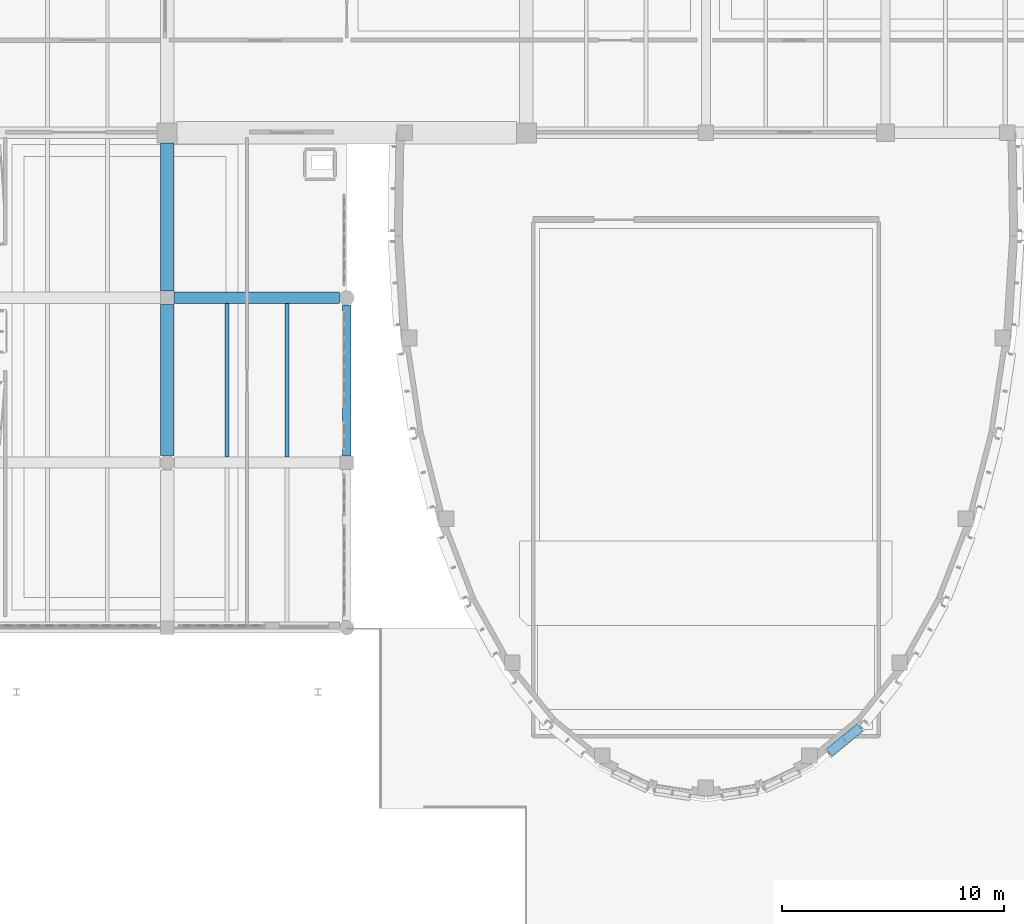
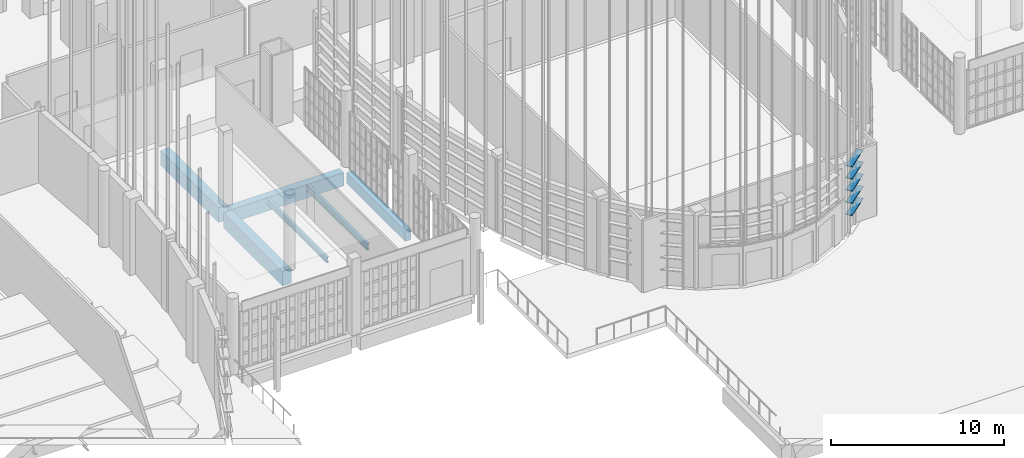
# One storey, part 185 of 372: 6 beams, 5 members.
"""IFC4 building model written with IfcOpenShell, lengths in metres."""

from ifc_helpers import new_model, si_unit, direction, frame, origin, origin_2d, place, context, subcontext, project, spatial, rectangle, hollow_rectangle, i_section, extrude, material, material_profile, profile_set, type_object, element, save


model = new_model("IFC4")

# Units and contexts
model_context = context("Model", 3, precision=1e-05, world=origin(), true_north=direction((0.0, 1.0)))
body_context = subcontext(model_context, "Body", "Model", "MODEL_VIEW")
ifc_project = project(units=[si_unit("LENGTHUNIT", "METRE"), si_unit("AREAUNIT", "SQUARE_METRE"), si_unit("VOLUMEUNIT", "CUBIC_METRE"), si_unit("PLANEANGLEUNIT", "RADIAN"), si_unit("MASSUNIT", "GRAM", prefix="KILO")], contexts=[model_context])

# Site, building, storey
site_placement = place(None, origin())
site = spatial("IfcSite", under=ifc_project, at=site_placement, CompositionType="ELEMENT")
building_placement = place(site_placement, origin())
building = spatial("IfcBuilding", under=site, at=building_placement, Name="Kaelora Sail Theatre", CompositionType="ELEMENT")
storey_placement = place(building_placement, origin())
storey = spatial("IfcBuildingStorey", under=building, at=storey_placement, Name="L00", CompositionType="ELEMENT", Elevation=0.0)

# Members
ifc_material_1 = material(Name="Anodised aluminium 6063-T6", Category="aluminium")
ifc_material_profile_1 = material_profile(ifc_material_1, hollow_rectangle(XDim=0.419921875, YDim=0.054931640625, WallThickness=0.00390625, InnerFilletRadius=0.00390625, OuterFilletRadius=0.008056640625, at=origin_2d()), Name="LOUVRE 420x55x4")
ifc_profile_set_1 = profile_set([ifc_material_profile_1], Name="Anodised aluminium 6063-T6")
member_type = type_object("IfcMemberType", Name="ARC-MEM-LVR-420", PredefinedType="USERDEFINED", material=ifc_profile_set_1)
for number, where, z_axis, x_axis, name in (
    (1, (97.568359375, 34.21337890625, 1.25), (-0.773004989186, -0.634399942223, 0.0), (0.634399942223, -0.773004989186, 0.0), "Studio Theatre Sail Drum horizontal solar louvre C8-01"),
    (2, (97.568359375, 34.21337890625, 2.110107421875), (-0.773004989186, -0.634399942223, 0.0), (0.634399942223, -0.773004989186, 0.0), "Studio Theatre Sail Drum horizontal solar louvre C8-02"),
    (3, (97.568359375, 34.21337890625, 2.969970703125), (-0.773004989186, -0.634399942223, 0.0), (0.634399942223, -0.773004989186, 0.0), "Studio Theatre Sail Drum horizontal solar louvre C8-03"),
    (4, (97.568359375, 34.21337890625, 3.830078125), (-0.773004989186, -0.634399942223, 0.0), (0.634399942223, -0.773004989186, 0.0), "Studio Theatre Sail Drum horizontal solar louvre C8-04"),
    (5, (97.568359375, 34.21337890625, 4.68994140625), (-0.773004989186, -0.634399942223, 0.0), (0.634399942223, -0.773004989186, 0.0), "Studio Theatre Sail Drum horizontal solar louvre C8-05"),
):
    element("IfcMember", number, at=place(storey_placement, frame(where, z_axis=z_axis, x_axis=x_axis)), inside=storey, type_object=member_type, Name=name, ObjectType="LOUVRE", PredefinedType="USERDEFINED", context=body_context, shape_type="SweptSolid", body=[
        extrude(hollow_rectangle(XDim=0.419921875, YDim=0.054931640625, WallThickness=0.00390625, InnerFilletRadius=0.00390625, OuterFilletRadius=0.008056640625, at=origin_2d()), origin(), (0.0, 0.0, 1.0), 1.840576171875),
    ])

# Beams
ifc_material_2 = material(Name="Steel S355", Category="steel")
ifc_material_profile_2 = material_profile(ifc_material_2, i_section(OverallWidth=0.18994140625, OverallDepth=0.449951171875, WebThickness=0.009521484375, FlangeThickness=0.0146484375, FilletRadius=0.02099609375, at=origin_2d()), Name="IPE 450")
ifc_profile_set_2 = profile_set([ifc_material_profile_2], Name="Steel S355")
beam_type_1 = type_object("IfcBeamType", Name="STR-BM-BM-IPE450", PredefinedType="BEAM", material=ifc_profile_set_2)
beam_1_placement = place(storey_placement, frame((71.699951171875, 46.389892578125, -0.544921875), z_axis=(0.0, 1.0, 0.0), x_axis=(-1.0, 0.0, 0.0)))
element("IfcBeam", 6, at=beam_1_placement, inside=storey, type_object=beam_type_1, Name="Secondary floor joist 9/G-2 (L00)", PredefinedType="BEAM", context=body_context, shape_type="SweptSolid", body=[
    extrude(i_section(OverallWidth=0.18994140625, OverallDepth=0.449951171875, WebThickness=0.009521484375, FlangeThickness=0.0146484375, FilletRadius=0.02099609375, at=origin_2d()), origin(), (0.0, 0.0, 1.0), 6.940185546875),
])
ifc_material_3 = material(Name="Concrete C40/50", Category="concrete")
ifc_material_profile_3 = material_profile(ifc_material_3, rectangle(XDim=0.39990234375, YDim=0.75, at=origin_2d()), Name="RC-BM 400x750")
ifc_profile_set_3 = profile_set([ifc_material_profile_3], Name="Concrete C40/50")
beam_type_2 = type_object("IfcBeamType", Name="STR-BM-BM-RC4075", PredefinedType="BEAM", material=ifc_profile_set_3)
beam_2_placement = place(storey_placement, frame((74.39990234375, 46.43994140625, -0.695068359375), z_axis=(0.0, 1.0, 0.0), x_axis=(-1.0, 0.0, 0.0)))
element("IfcBeam", 7, at=beam_2_placement, inside=storey, type_object=beam_type_2, Name="Primary beam 10 G-H (L00)", PredefinedType="BEAM", context=body_context, shape_type="SweptSolid", body=[
    extrude(rectangle(XDim=0.39990234375, YDim=0.75, at=origin_2d()), origin(), (0.0, 0.0, 1.0), 6.81494140625),
])
ifc_material_4 = material(Name="Concrete C45/55", Category="concrete")
ifc_material_profile_4 = material_profile(ifc_material_4, rectangle(XDim=0.5, YDim=0.949951171875, at=origin_2d()), Name="RC-GRD 500x950")
ifc_profile_set_4 = profile_set([ifc_material_profile_4], Name="Concrete C45/55")
beam_type_3 = type_object("IfcBeamType", Name="STR-BM-GR-RC5095", PredefinedType="T_BEAM", material=ifc_profile_set_4)
beam_3_placement = place(storey_placement, frame((66.60009765625, 53.580078125, -0.794921875), z_axis=(1.0, 0.0, 0.0), x_axis=(0.0, 1.0, 0.0)))
element("IfcBeam", 8, at=beam_3_placement, inside=storey, type_object=beam_type_3, Name="Primary beam H 9-10 (L00)", PredefinedType="T_BEAM", context=body_context, shape_type="SweptSolid", body=[
    extrude(rectangle(XDim=0.5, YDim=0.949951171875, at=origin_2d()), origin(), (0.0, 0.0, 1.0), 7.474853515625),
])
ifc_material_5 = material(Name="Concrete C50/60", Category="concrete")
ifc_material_profile_5 = material_profile(ifc_material_5, rectangle(XDim=0.60009765625, YDim=1.050048828125, at=origin_2d()), Name="RC-GRD 600x1050")
ifc_profile_set_5 = profile_set([ifc_material_profile_5], Name="Concrete C50/60")
beam_type_4 = type_object("IfcBeamType", Name="STR-BM-GR-RC6105", PredefinedType="T_BEAM", material=ifc_profile_set_5)
beam_4_placement = place(storey_placement, frame((66.300048828125, 46.465087890625, -0.844970703125), z_axis=(0.0, 1.0, 0.0), x_axis=(-1.0, 0.0, 0.0)))
element("IfcBeam", 9, at=beam_4_placement, inside=storey, type_object=beam_type_4, Name="Primary beam 9 G-H (L00)", PredefinedType="T_BEAM", context=body_context, shape_type="SweptSolid", body=[
    extrude(rectangle(XDim=0.60009765625, YDim=1.050048828125, at=origin_2d()), origin(), (0.0, 0.0, 1.0), 6.81494140625),
])
beam_5_placement = place(storey_placement, frame((66.300048828125, 53.8798828125, -0.844970703125), z_axis=(0.0, 1.0, 0.0), x_axis=(-1.0, 0.0, 0.0)))
element("IfcBeam", 10, at=beam_5_placement, inside=storey, type_object=beam_type_4, Name="Primary beam 9 H-I (L00)", PredefinedType="T_BEAM", context=body_context, shape_type="SweptSolid", body=[
    extrude(rectangle(XDim=0.60009765625, YDim=1.050048828125, at=origin_2d()), origin(), (0.0, 0.0, 1.0), 6.690185546875),
])
ifc_material_6 = material(Name="Steel S355", Category="steel")
ifc_material_profile_6 = material_profile(ifc_material_6, i_section(OverallWidth=0.179931640625, OverallDepth=0.39990234375, WebThickness=0.008544921875, FlangeThickness=0.013427734375, FilletRadius=0.02099609375, at=origin_2d()), Name="IPE 400")
ifc_profile_set_6 = profile_set([ifc_material_profile_6], Name="Steel S355")
beam_type_5 = type_object("IfcBeamType", Name="STR-BM-JS-IPE400", PredefinedType="JOIST", material=ifc_profile_set_6)
beam_6_placement = place(storey_placement, frame((69.0, 46.389892578125, -0.52001953125), z_axis=(0.0, 1.0, 0.0), x_axis=(-1.0, 0.0, 0.0)))
element("IfcBeam", 11, at=beam_6_placement, inside=storey, type_object=beam_type_5, Name="Secondary floor joist 9/G-1 (L00)", PredefinedType="JOIST", context=body_context, shape_type="SweptSolid", body=[
    extrude(i_section(OverallWidth=0.179931640625, OverallDepth=0.39990234375, WebThickness=0.008544921875, FlangeThickness=0.013427734375, FilletRadius=0.02099609375, at=origin_2d()), origin(), (0.0, 0.0, 1.0), 6.940185546875),
])

save(model, "model.ifc")
